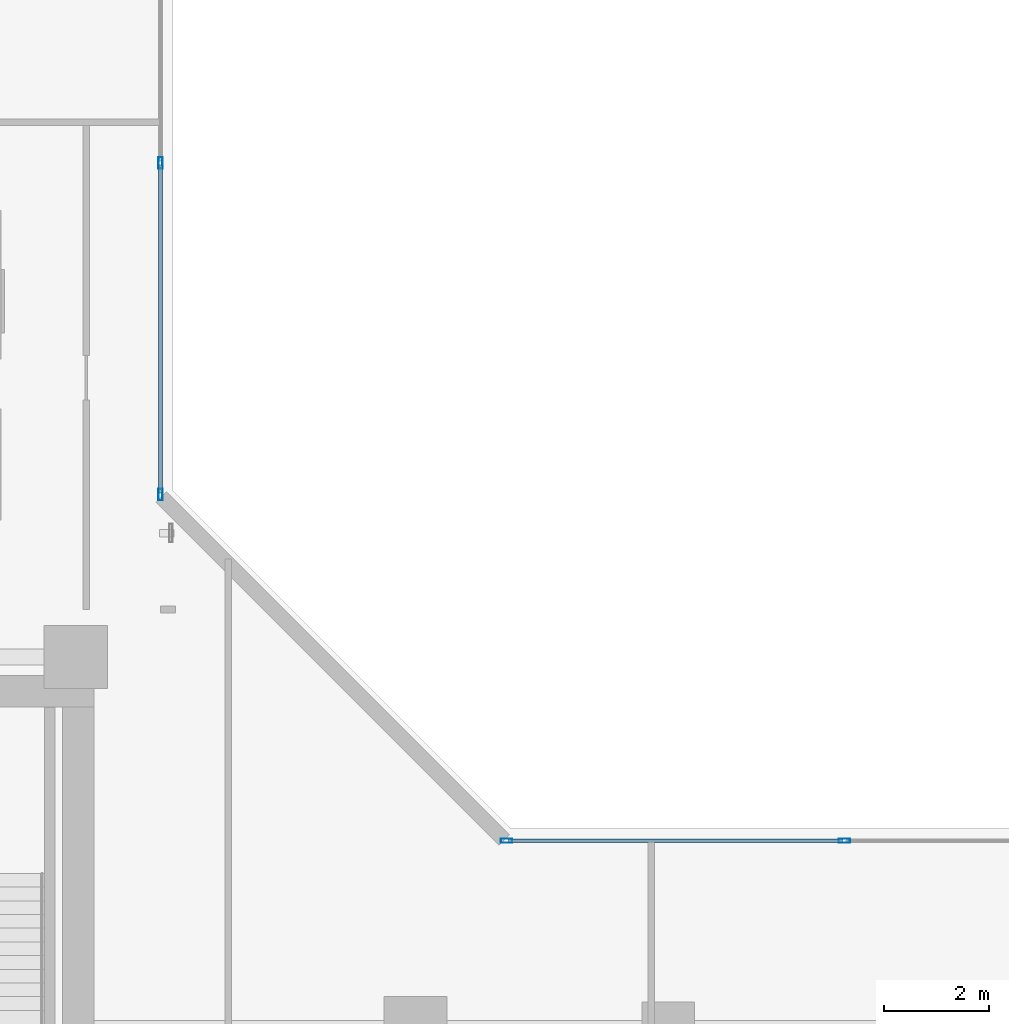
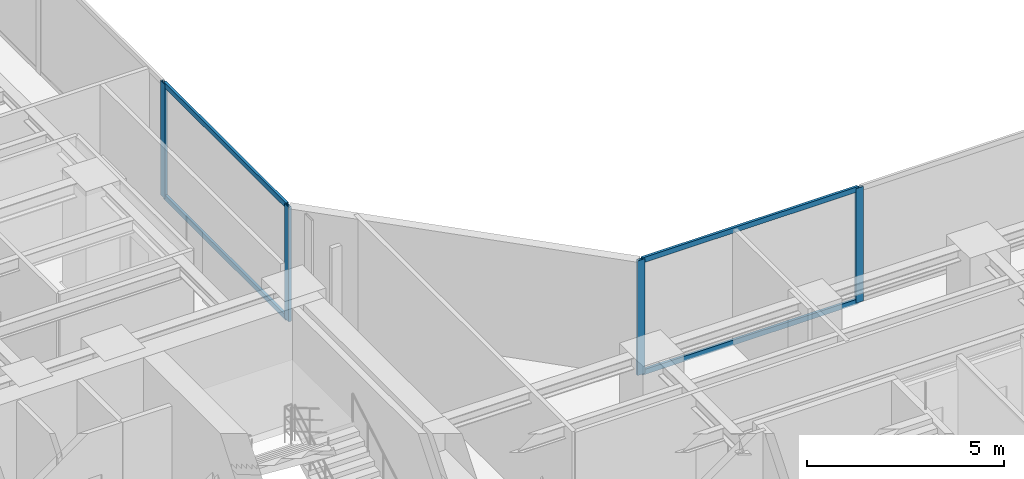
# One storey, part 9 of 24: 8 members, 2 elements without a shape of their own.
"""IFC4 building model written with IfcOpenShell, lengths in metres."""

from ifc_helpers import new_model, si_unit, direction, frame, origin, origin_with_axes, origin_2d, place, context, subcontext, project, spatial, hollow_rectangle, extrude, source, transform, mapped, material, layer, layer_set, material_profile, profile_set, type_object, element, aggregate, save


model = new_model("IFC4")

# Units and contexts
model_context = context("Model", 3, precision=1e-05, world=origin(), true_north=direction((0.0, 1.0)))
body_context = subcontext(model_context, "Body", "Model", "MODEL_VIEW")
ifc_project = project(units=[si_unit("LENGTHUNIT", "METRE"), si_unit("AREAUNIT", "SQUARE_METRE"), si_unit("VOLUMEUNIT", "CUBIC_METRE"), si_unit("PLANEANGLEUNIT", "RADIAN"), si_unit("MASSUNIT", "GRAM", prefix="KILO")], contexts=[model_context])

# Site, building, storey
site_placement = place(None, origin())
site = spatial("IfcSite", under=ifc_project, at=site_placement, CompositionType="ELEMENT")
building_placement = place(site_placement, origin())
building = spatial("IfcBuilding", under=site, at=building_placement, Name="Kolvaren Waterfront Exchange", CompositionType="ELEMENT")
storey_placement = place(building_placement, frame((0.0, 0.0, 169.0)))
storey = spatial("IfcBuildingStorey", under=building, at=storey_placement, Name="L43", CompositionType="ELEMENT", Elevation=169.0)

# Curtain wall, members
ifc_material_1 = material(Name="Anodised bronze aluminium 6063-T6", Category="aluminium")
ifc_layer = layer(ifc_material_1, 0.219970703125, Name="Anodised bronze aluminium 6063-T6")
ifc_layer_set = layer_set([ifc_layer], Name="Anodised bronze aluminium 6063-T6")
curtain_wall_type = type_object("IfcCurtainWallType", Name="ARC-CW-SYS1", PredefinedType="USERDEFINED", material=ifc_layer_set)
curtain_wall_1_placement = place(storey_placement, origin())
curtain_wall_1 = element("IfcCurtainWall", 1, at=curtain_wall_1_placement, inside=storey, type_object=curtain_wall_type, Name="L43 stick curtain wall CW1 (CW-L43-NE)", ObjectType="STICK CURTAIN WALL", PredefinedType="USERDEFINED")
ifc_material_2 = material(Name="Anodised aluminium 6063-T6", Category="aluminium")
ifc_material_profile_1 = material_profile(ifc_material_2, hollow_rectangle(XDim=0.080078125, YDim=0.219970703125, WallThickness=0.0048828125, at=origin_2d()), Name="ALU-MUL-220x80x5")
ifc_profile_set_1 = profile_set([ifc_material_profile_1], Name="Anodised aluminium 6063-T6")
member_type_1 = type_object("IfcMemberType", Name="ARC-CWM-220", PredefinedType="MULLION", material=ifc_profile_set_1)
shared_shape_1 = source(origin_with_axes(), body_context, "Body", "SweptSolid", [
    extrude(hollow_rectangle(XDim=0.080078125, YDim=0.219970703125, WallThickness=0.0048828125, at=origin_2d()), origin(), (0.0, 0.0, 1.0), 3.56005859375),
])
member_1_placement = place(storey_placement, frame((22.360107421875, 27.530029296875, 0.0), z_axis=(0.0, 0.0, 1.0), x_axis=(-1.0, 0.0, 0.0)))
member_1 = element("IfcMember", 2, at=member_1_placement, type_object=member_type_1, Name="CW1 mullion 1", PredefinedType="MULLION", context=body_context, shape_type="MappedRepresentation", body=[
    mapped(shared_shape_1, transform((0.0, 0.0, 0.0), x_axis=(1.0, 0.0, 0.0), y_axis=(0.0, 1.0, 0.0), z_axis=(0.0, 0.0, 1.0), scale=1.0)),
])
member_2_placement = place(storey_placement, frame((22.360107421875, 33.82666015625, 0.0), z_axis=(0.0, 0.0, 1.0), x_axis=(-1.0, 0.0, 0.0)))
member_2 = element("IfcMember", 3, at=member_2_placement, type_object=member_type_1, Name="CW1 mullion 2", PredefinedType="MULLION", context=body_context, shape_type="MappedRepresentation", body=[
    mapped(shared_shape_1, transform((0.0, 0.0, 0.0), x_axis=(1.0, 0.0, 0.0), y_axis=(0.0, 1.0, 0.0), z_axis=(0.0, 0.0, 1.0), scale=1.0)),
])

curtain_wall_2_placement = place(storey_placement, origin())
curtain_wall_2 = element("IfcCurtainWall", 4, at=curtain_wall_2_placement, inside=storey, type_object=curtain_wall_type, Name="L43 stick curtain wall CW1 (CW-L43-EN)", ObjectType="STICK CURTAIN WALL", PredefinedType="USERDEFINED")
member_3_placement = place(storey_placement, frame((28.929931640625, 20.9599609375, 0.0), z_axis=(0.0, 0.0, 1.0), x_axis=(0.0, 1.0, 0.0)))
member_3 = element("IfcMember", 5, at=member_3_placement, type_object=member_type_1, Name="CW1 mullion 1", PredefinedType="MULLION", context=body_context, shape_type="MappedRepresentation", body=[
    mapped(shared_shape_1, transform((0.0, 0.0, 0.0), x_axis=(1.0, 0.0, 0.0), y_axis=(0.0, 1.0, 0.0), z_axis=(0.0, 0.0, 1.0), scale=1.0)),
])
member_4_placement = place(storey_placement, frame((35.342529296875, 20.9599609375, 0.0), z_axis=(0.0, 0.0, 1.0), x_axis=(0.0, 1.0, 0.0)))
member_4 = element("IfcMember", 6, at=member_4_placement, type_object=member_type_1, Name="CW1 mullion 2", PredefinedType="MULLION", context=body_context, shape_type="MappedRepresentation", body=[
    mapped(shared_shape_1, transform((0.0, 0.0, 0.0), x_axis=(1.0, 0.0, 0.0), y_axis=(0.0, 1.0, 0.0), z_axis=(0.0, 0.0, 1.0), scale=1.0)),
])

# Member
ifc_material_profile_2 = material_profile(ifc_material_2, hollow_rectangle(XDim=0.074951171875, YDim=0.159912109375, WallThickness=0.00439453125, at=origin_2d()), Name="ALU-TRN-160x75x4.5")
ifc_profile_set_2 = profile_set([ifc_material_profile_2], Name="Anodised aluminium 6063-T6")
member_type_2 = type_object("IfcMemberType", Name="ARC-CWT-160", PredefinedType="USERDEFINED", material=ifc_profile_set_2)
shared_shape_2 = source(origin_with_axes(), body_context, "Body", "SweptSolid", [
    extrude(hollow_rectangle(XDim=0.074951171875, YDim=0.159912109375, WallThickness=0.00439453125, at=origin_2d()), origin(), (0.0, 0.0, 1.0), 6.216552734375),
])
member_5_placement = place(storey_placement, frame((22.360107421875, 27.570068359375, 0.03759765625), z_axis=(0.0, 1.0, 0.0), x_axis=(-1.0, 0.0, 0.0)))
member_5 = element("IfcMember", 7, at=member_5_placement, type_object=member_type_2, Name="CW1 transom 1.1", ObjectType="TRANSOM", PredefinedType="USERDEFINED", context=body_context, shape_type="MappedRepresentation", body=[
    mapped(shared_shape_2, transform((0.0, 0.0, 0.0), x_axis=(1.0, 0.0, 0.0), y_axis=(0.0, 1.0, 0.0), z_axis=(0.0, 0.0, 1.0), scale=1.0)),
])

member_6_placement = place(storey_placement, frame((22.360107421875, 27.570068359375, 3.5224609375), z_axis=(0.0, 1.0, 0.0), x_axis=(-1.0, 0.0, 0.0)))
member_6 = element("IfcMember", 8, at=member_6_placement, type_object=member_type_2, Name="CW1 transom 1.2", ObjectType="TRANSOM", PredefinedType="USERDEFINED", context=body_context, shape_type="MappedRepresentation", body=[
    mapped(shared_shape_2, transform((0.0, 0.0, 0.0), x_axis=(1.0, 0.0, 0.0), y_axis=(0.0, 1.0, 0.0), z_axis=(0.0, 0.0, 1.0), scale=1.0)),
])

aggregate(curtain_wall_1, [member_1, member_2, member_5, member_6])

shared_shape_3 = source(origin_with_axes(), body_context, "Body", "SweptSolid", [
    extrude(hollow_rectangle(XDim=0.074951171875, YDim=0.159912109375, WallThickness=0.00439453125, at=origin_2d()), origin(), (0.0, 0.0, 1.0), 6.33251953125),
])
member_7_placement = place(storey_placement, frame((28.969970703125, 20.9599609375, 0.03759765625), z_axis=(1.0, 0.0, 0.0), x_axis=(0.0, 1.0, 0.0)))
member_7 = element("IfcMember", 9, at=member_7_placement, type_object=member_type_2, Name="CW1 transom 1.1", ObjectType="TRANSOM", PredefinedType="USERDEFINED", context=body_context, shape_type="MappedRepresentation", body=[
    mapped(shared_shape_3, transform((0.0, 0.0, 0.0), x_axis=(1.0, 0.0, 0.0), y_axis=(0.0, 1.0, 0.0), z_axis=(0.0, 0.0, 1.0), scale=1.0)),
])

member_8_placement = place(storey_placement, frame((28.969970703125, 20.9599609375, 3.5224609375), z_axis=(1.0, 0.0, 0.0), x_axis=(0.0, 1.0, 0.0)))
member_8 = element("IfcMember", 10, at=member_8_placement, type_object=member_type_2, Name="CW1 transom 1.2", ObjectType="TRANSOM", PredefinedType="USERDEFINED", context=body_context, shape_type="MappedRepresentation", body=[
    mapped(shared_shape_3, transform((0.0, 0.0, 0.0), x_axis=(1.0, 0.0, 0.0), y_axis=(0.0, 1.0, 0.0), z_axis=(0.0, 0.0, 1.0), scale=1.0)),
])

aggregate(curtain_wall_2, [member_3, member_4, member_7, member_8])

save(model, "model.ifc")
